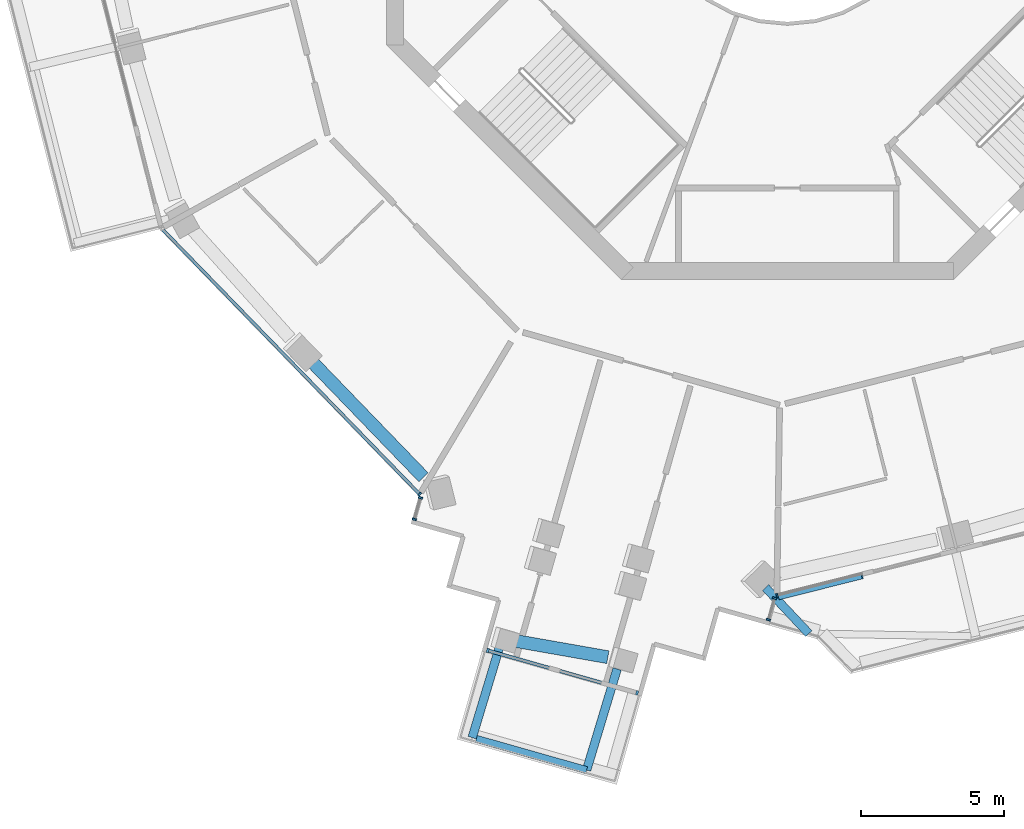
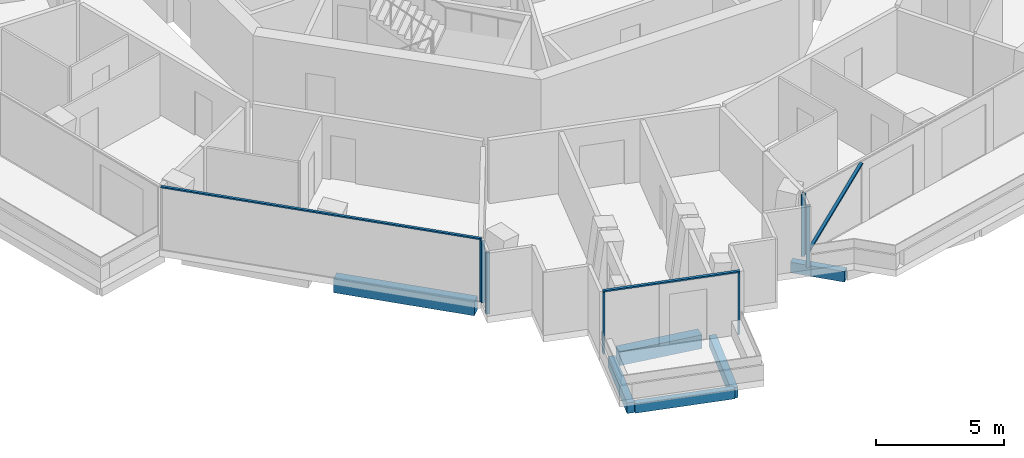
# One storey, part 2 of 24: 11 members, 6 beams, 5 elements without a shape of their own.
"""IFC4 building model written with IfcOpenShell, lengths in metres."""

from ifc_helpers import new_model, si_unit, direction, frame, origin, origin_2d, place, context, subcontext, project, spatial, rectangle, extrude, material, layer, layer_set, material_profile, profile_set, type_object, element, aggregate, save


model = new_model("IFC4")

# Units and contexts
model_context = context("Model", 3, precision=1e-05, world=origin(), true_north=direction((0.0, 1.0)))
body_context = subcontext(model_context, "Body", "Model", "MODEL_VIEW")
ifc_project = project(units=[si_unit("LENGTHUNIT", "METRE"), si_unit("AREAUNIT", "SQUARE_METRE"), si_unit("VOLUMEUNIT", "CUBIC_METRE"), si_unit("PLANEANGLEUNIT", "RADIAN"), si_unit("MASSUNIT", "GRAM", prefix="KILO")], contexts=[model_context])

# Site, building, storey
site_placement = place(None, origin())
site = spatial("IfcSite", under=ifc_project, at=site_placement, CompositionType="ELEMENT")
building_placement = place(site_placement, origin())
building = spatial("IfcBuilding", under=site, at=building_placement, Name="Verdalira Terraces Hotel", CompositionType="ELEMENT")
storey_placement = place(building_placement, frame((0.0, 0.0, 212.5)))
storey = spatial("IfcBuildingStorey", under=building, at=storey_placement, Name="L52", CompositionType="ELEMENT", Elevation=212.5)

# Beams
ifc_material_1 = material(Name="Concrete C40", Category="concrete")
ifc_material_profile_1 = material_profile(ifc_material_1, rectangle(XDim=0.300049, YDim=0.5, at=origin_2d()), Name="RC 300X500")
ifc_profile_set_1 = profile_set([ifc_material_profile_1], Name="Concrete C40")
beam_type_1 = type_object("IfcBeamType", Name="Balcony cantilever beam RC 300X500 C40", PredefinedType="BEAM", material=ifc_profile_set_1)
beam_1_placement = place(storey_placement, frame((-10.066406, -26.877441, -0.560059), z_axis=(-0.288978647, -0.957335543, 0.0), x_axis=(0.957335543, -0.288978647, 0.0)))
element("IfcBeam", 1, at=beam_1_placement, inside=storey, type_object=beam_type_1, Name="Balcony cantilever beam R19-1", PredefinedType="BEAM", context=body_context, shape_type="SweptSolid", body=[
    extrude(rectangle(XDim=0.300049, YDim=0.5, at=origin_2d()), origin(), (0.0, 0.0, 1.0), 3.254395),
])
beam_2_placement = place(storey_placement, frame((-5.945312, -27.595703, -0.560059), z_axis=(-0.288993146, -0.957331166, 0.0), x_axis=(0.957331166, -0.288993146, 0.0)))
element("IfcBeam", 2, at=beam_2_placement, inside=storey, type_object=beam_type_1, Name="Balcony cantilever beam R19-2", PredefinedType="BEAM", context=body_context, shape_type="SweptSolid", body=[
    extrude(rectangle(XDim=0.300049, YDim=0.5, at=origin_2d()), origin(), (0.0, 0.0, 1.0), 3.688477),
])
beam_3_placement = place(storey_placement, frame((-0.758057, -24.754883, -0.560059), z_axis=(0.684541676, -0.728973727, 0.0), x_axis=(0.728973727, 0.684541676, 0.0)))
element("IfcBeam", 3, at=beam_3_placement, inside=storey, type_object=beam_type_1, Name="Balcony cantilever beam R24-1", PredefinedType="BEAM", context=body_context, shape_type="SweptSolid", body=[
    extrude(rectangle(XDim=0.300049, YDim=0.5, at=origin_2d()), origin(), (0.0, 0.0, 1.0), 2.203369),
])
ifc_material_2 = material(Name="Concrete C40", Category="concrete")
ifc_material_profile_2 = material_profile(ifc_material_2, rectangle(XDim=0.25, YDim=0.449951, at=origin_2d()), Name="RC 250X450")
ifc_profile_set_2 = profile_set([ifc_material_profile_2], Name="Concrete C40")
beam_type_2 = type_object("IfcBeamType", Name="Balcony edge beam RC 250X450 C40", PredefinedType="BEAM", material=ifc_profile_set_2)
beam_4_placement = place(storey_placement, frame((-10.862549, -30.033936, -0.534912), z_axis=(0.962024025, -0.272964788, 0.0), x_axis=(0.272964788, 0.962024025, 0.0)))
element("IfcBeam", 4, at=beam_4_placement, inside=storey, type_object=beam_type_2, Name="Balcony edge beam R19-1", PredefinedType="BEAM", context=body_context, shape_type="SweptSolid", body=[
    extrude(rectangle(XDim=0.25, YDim=0.449951, at=origin_2d()), origin(), (0.0, 0.0, 1.0), 4.003418),
])

# Curtain wall, member
ifc_material_3 = material(Name="Clear glass", Category="glass")
ifc_layer_1 = layer(ifc_material_3, 0.14990234375)
ifc_layer_set_1 = layer_set([ifc_layer_1], Name="CW1 curtain wall")
curtain_wall_type_1 = type_object("IfcCurtainWallType", Name="CW1 curtain wall", PredefinedType="NOTDEFINED", material=ifc_layer_set_1)
curtain_wall_1_placement = place(storey_placement, origin())
curtain_wall_1 = element("IfcCurtainWall", 5, at=curtain_wall_1_placement, inside=storey, type_object=curtain_wall_type_1, Name="CW1 curtain wall L52 edge 13", PredefinedType="NOTDEFINED")
ifc_material_4 = material(Name="Terracotta frame", Category="masonry")
ifc_material_profile_3 = material_profile(ifc_material_4, rectangle(XDim=0.060059, YDim=0.149902, at=origin_2d()), Name="MU 60x150")
ifc_profile_set_3 = profile_set([ifc_material_profile_3], Name="Terracotta frame")
member_type_1 = type_object("IfcMemberType", Name="CW1 mullion 60x150", PredefinedType="MULLION", material=ifc_profile_set_3)
member_1_placement = place(storey_placement, frame((-12.841553, -21.489258, 0.0), z_axis=(0.0, 0.0, 1.0), x_axis=(0.696664435, -0.717397146, 0.0)))
member_1 = element("IfcMember", 6, at=member_1_placement, type_object=member_type_1, Name="CW1 mullion", PredefinedType="MULLION", context=body_context, shape_type="SweptSolid", body=[
    extrude(rectangle(XDim=0.060059, YDim=0.149902, at=origin_2d()), origin(), (0.0, 0.0, 1.0), 2.935059),
])

curtain_wall_2_placement = place(storey_placement, origin())
curtain_wall_2 = element("IfcCurtainWall", 7, at=curtain_wall_2_placement, inside=storey, type_object=curtain_wall_type_1, Name="CW1 curtain wall L52 edge 25", PredefinedType="NOTDEFINED")
member_2_placement = place(storey_placement, frame((-0.357422, -25.03125, 0.0), z_axis=(0.0, 0.0, 1.0), x_axis=(0.96961637, 0.244630526, 0.0)))
member_2 = element("IfcMember", 8, at=member_2_placement, type_object=member_type_1, Name="CW1 mullion", PredefinedType="MULLION", context=body_context, shape_type="SweptSolid", body=[
    extrude(rectangle(XDim=0.060059, YDim=0.149902, at=origin_2d()), origin(), (0.0, 0.0, 1.0), 2.935059),
])

# Member
ifc_material_5 = material(Name="Terracotta frame", Category="masonry")
ifc_material_profile_4 = material_profile(ifc_material_5, rectangle(XDim=0.110107, YDim=0.064941, at=origin_2d()), Name="TR 65x110")
ifc_profile_set_4 = profile_set([ifc_material_profile_4], Name="Terracotta frame")
member_type_2 = type_object("IfcMemberType", Name="CW1 transom 65x110", PredefinedType="USERDEFINED", material=ifc_profile_set_4)
member_3_placement = place(storey_placement, frame((-21.849365, -12.213379, 2.967529), z_axis=(0.69666023, -0.71740123, 0.0), x_axis=(0.71740123, 0.69666023, 0.0)))
member_3 = element("IfcMember", 9, at=member_3_placement, type_object=member_type_2, Name="CW1 transom", ObjectType="TRANSOM", PredefinedType="USERDEFINED", context=body_context, shape_type="SweptSolid", body=[
    extrude(rectangle(XDim=0.110107, YDim=0.064941, at=origin_2d()), origin(), (0.0, 0.0, 1.0), 12.959717),
])

aggregate(curtain_wall_1, [member_1, member_3])

# Curtain wall, members
ifc_material_6 = material(Name="Clear glass", Category="glass")
ifc_layer_2 = layer(ifc_material_6, 0.14990234375)
ifc_layer_set_2 = layer_set([ifc_layer_2], Name="CW2 curtain wall")
curtain_wall_type_2 = type_object("IfcCurtainWallType", Name="CW2 curtain wall", PredefinedType="NOTDEFINED", material=ifc_layer_set_2)
curtain_wall_3_placement = place(storey_placement, origin())
curtain_wall_3 = element("IfcCurtainWall", 10, at=curtain_wall_3_placement, inside=storey, type_object=curtain_wall_type_2, Name="CW2 curtain wall L52 edge 14", PredefinedType="NOTDEFINED")
ifc_material_7 = material(Name="Terracotta frame", Category="masonry")
ifc_material_profile_5 = material_profile(ifc_material_7, rectangle(XDim=0.070068, YDim=0.149902, at=origin_2d()), Name="MU 70x150")
ifc_profile_set_5 = profile_set([ifc_material_profile_5], Name="Terracotta frame")
member_type_3 = type_object("IfcMemberType", Name="CW2 mullion 70x150", PredefinedType="MULLION", material=ifc_profile_set_5)
member_4_placement = place(storey_placement, frame((-12.812012, -21.617188, 0.0), z_axis=(0.0, 0.0, 1.0), x_axis=(-0.272951936, -0.962027672, 0.0)))
member_4 = element("IfcMember", 11, at=member_4_placement, type_object=member_type_3, Name="CW2 mullion", PredefinedType="MULLION", context=body_context, shape_type="SweptSolid", body=[
    extrude(rectangle(XDim=0.070068, YDim=0.149902, at=origin_2d()), origin(), (0.0, 0.0, 1.0), 2.935059),
])
member_5_placement = place(storey_placement, frame((-13.024902, -22.367432, 0.0), z_axis=(0.0, 0.0, 1.0), x_axis=(-0.272951936, -0.962027672, 0.0)))
member_5 = element("IfcMember", 12, at=member_5_placement, type_object=member_type_3, Name="CW2 mullion", PredefinedType="MULLION", context=body_context, shape_type="SweptSolid", body=[
    extrude(rectangle(XDim=0.070068, YDim=0.149902, at=origin_2d()), origin(), (0.0, 0.0, 1.0), 2.935059),
])
aggregate(curtain_wall_3, [member_4, member_5])

curtain_wall_4_placement = place(storey_placement, origin())
curtain_wall_4 = element("IfcCurtainWall", 13, at=curtain_wall_4_placement, inside=storey, type_object=curtain_wall_type_2, Name="CW2 curtain wall L52 edge 24", PredefinedType="NOTDEFINED")
member_6_placement = place(storey_placement, frame((-0.662842, -25.875, 0.0), z_axis=(0.0, 0.0, 1.0), x_axis=(0.272951936, 0.962027672, 0.0)))
member_6 = element("IfcMember", 14, at=member_6_placement, type_object=member_type_3, Name="CW2 mullion", PredefinedType="MULLION", context=body_context, shape_type="SweptSolid", body=[
    extrude(rectangle(XDim=0.070068, YDim=0.149902, at=origin_2d()), origin(), (0.0, 0.0, 1.0), 2.935059),
])
member_7_placement = place(storey_placement, frame((-0.449951, -25.124512, 0.0), z_axis=(0.0, 0.0, 1.0), x_axis=(0.272951936, 0.962027672, 0.0)))
member_7 = element("IfcMember", 15, at=member_7_placement, type_object=member_type_3, Name="CW2 mullion", PredefinedType="MULLION", context=body_context, shape_type="SweptSolid", body=[
    extrude(rectangle(XDim=0.070068, YDim=0.149902, at=origin_2d()), origin(), (0.0, 0.0, 1.0), 2.935059),
])
aggregate(curtain_wall_4, [member_6, member_7])

ifc_material_8 = material(Name="Clear glass", Category="glass")
ifc_layer_3 = layer(ifc_material_8, 0.14990234375)
ifc_layer_set_3 = layer_set([ifc_layer_3], Name="CW3 curtain wall")
curtain_wall_type_3 = type_object("IfcCurtainWallType", Name="CW3 curtain wall", PredefinedType="NOTDEFINED", material=ifc_layer_set_3)
curtain_wall_5_placement = place(storey_placement, origin())
curtain_wall_5 = element("IfcCurtainWall", 16, at=curtain_wall_5_placement, inside=storey, type_object=curtain_wall_type_3, Name="CW3 curtain wall L52 edge 19", PredefinedType="NOTDEFINED")
ifc_material_9 = material(Name="Terracotta frame", Category="masonry")
ifc_material_profile_6 = material_profile(ifc_material_9, rectangle(XDim=0.080078, YDim=0.149902, at=origin_2d()), Name="MU 80x150")
ifc_profile_set_6 = profile_set([ifc_material_profile_6], Name="Terracotta frame")
member_type_4 = type_object("IfcMemberType", Name="CW3 mullion 80x150", PredefinedType="MULLION", material=ifc_profile_set_6)
member_8_placement = place(storey_placement, frame((-10.463623, -26.950684, 0.0), z_axis=(0.0, 0.0, 1.0), x_axis=(0.962027672, -0.272951936, 0.0)))
member_8 = element("IfcMember", 17, at=member_8_placement, type_object=member_type_4, Name="CW3 mullion", PredefinedType="MULLION", context=body_context, shape_type="SweptSolid", body=[
    extrude(rectangle(XDim=0.080078, YDim=0.149902, at=origin_2d()), origin(), (0.0, 0.0, 1.0), 2.935059),
])
member_9_placement = place(storey_placement, frame((-5.249268, -28.430176, 0.0), z_axis=(0.0, 0.0, 1.0), x_axis=(0.962027672, -0.272951936, 0.0)))
member_9 = element("IfcMember", 18, at=member_9_placement, type_object=member_type_4, Name="CW3 mullion", PredefinedType="MULLION", context=body_context, shape_type="SweptSolid", body=[
    extrude(rectangle(XDim=0.080078, YDim=0.149902, at=origin_2d()), origin(), (0.0, 0.0, 1.0), 2.935059),
])
ifc_material_10 = material(Name="Terracotta frame", Category="masonry")
ifc_material_profile_7 = material_profile(ifc_material_10, rectangle(XDim=0.120117, YDim=0.064941, at=origin_2d()), Name="TR 65x120")
ifc_profile_set_7 = profile_set([ifc_material_profile_7], Name="Terracotta frame")
member_type_5 = type_object("IfcMemberType", Name="CW3 transom 65x120", PredefinedType="USERDEFINED", material=ifc_profile_set_7)
member_10_placement = place(storey_placement, frame((-10.501953, -26.939697, 2.967529), z_axis=(0.962026535, -0.272955941, 0.0), x_axis=(0.272955941, 0.962026535, 0.0)))
member_10 = element("IfcMember", 19, at=member_10_placement, type_object=member_type_5, Name="CW3 transom", ObjectType="TRANSOM", PredefinedType="USERDEFINED", context=body_context, shape_type="SweptSolid", body=[
    extrude(rectangle(XDim=0.120117, YDim=0.064941, at=origin_2d()), origin(), (0.0, 0.0, 1.0), 5.499756),
])
aggregate(curtain_wall_5, [member_8, member_9, member_10])

# Member
ifc_material_11 = material(Name="Terracotta frame", Category="masonry")
ifc_material_profile_8 = material_profile(ifc_material_11, rectangle(XDim=0.149902, YDim=0.060059, at=origin_2d()), Name="GB 60x150")
ifc_profile_set_8 = profile_set([ifc_material_profile_8], Name="Terracotta frame")
member_type_6 = type_object("IfcMemberType", Name="Diagonal glazing bar 60x150", PredefinedType="USERDEFINED", material=ifc_profile_set_8)
member_11_placement = place(storey_placement, frame((-0.283447, -25.104492, 0.022949), z_axis=(0.697531462, 0.176026326, 0.694596712), x_axis=(-0.244685137, 0.969602591, 0.0)))
member_11 = element("IfcMember", 20, at=member_11_placement, type_object=member_type_6, Name="Diagonal glazing bar", ObjectType="GLAZING BAR", PredefinedType="USERDEFINED", context=body_context, shape_type="SweptSolid", body=[
    extrude(rectangle(XDim=0.149902, YDim=0.060059, at=origin_2d()), origin(), (0.0, 0.0, 1.0), 4.159424),
])

aggregate(curtain_wall_2, [member_2, member_11])

# Beams
ifc_material_12 = material(Name="Concrete C50", Category="concrete")
ifc_material_profile_9 = material_profile(ifc_material_12, rectangle(XDim=0.449951, YDim=0.649902, at=origin_2d()), Name="RC 450X650")
ifc_profile_set_9 = profile_set([ifc_material_profile_9], Name="Concrete C50")
beam_type_3 = type_object("IfcBeamType", Name="Spandrel beam RC 450X650 C50", PredefinedType="SPANDREL", material=ifc_profile_set_9)
beam_5_placement = place(storey_placement, frame((-16.671143, -16.793701, -0.63501), z_axis=(0.694503649, -0.719489181, 0.0), x_axis=(0.719489181, 0.694503649, 0.0)))
element("IfcBeam", 21, at=beam_5_placement, inside=storey, type_object=beam_type_3, Name="Spandrel beam B09", PredefinedType="SPANDREL", context=body_context, shape_type="SweptSolid", body=[
    extrude(rectangle(XDim=0.449951, YDim=0.649902, at=origin_2d()), origin(), (0.0, 0.0, 1.0), 5.706543),
])
beam_6_placement = place(storey_placement, frame((-9.623047, -26.593994, -0.63501), z_axis=(0.984879417, -0.173241258, 0.0), x_axis=(0.173241258, 0.984879417, 0.0)))
element("IfcBeam", 22, at=beam_6_placement, inside=storey, type_object=beam_type_3, Name="Spandrel beam B10", PredefinedType="SPANDREL", context=body_context, shape_type="SweptSolid", body=[
    extrude(rectangle(XDim=0.449951, YDim=0.649902, at=origin_2d()), origin(), (0.0, 0.0, 1.0), 3.404785),
])

save(model, "model.ifc")
